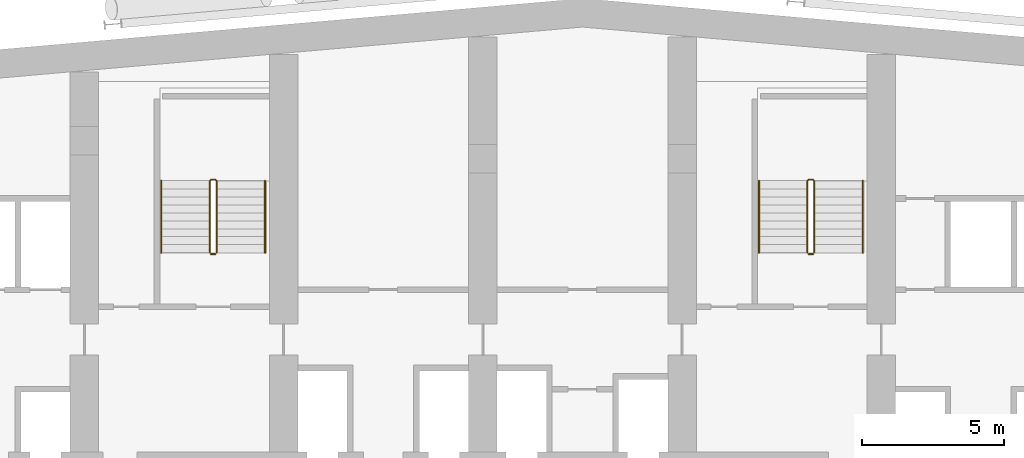
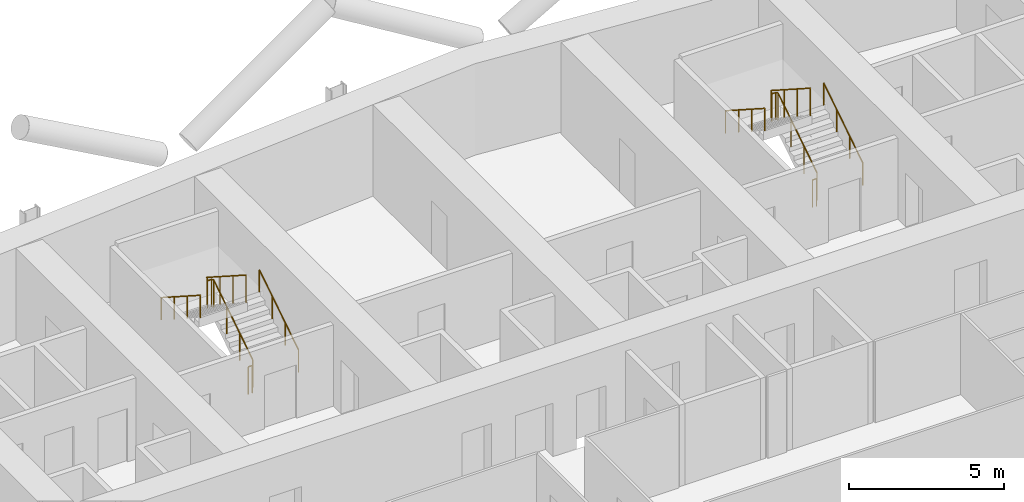
# One storey, part 26 of 27: 8 railings.
"""IFC4 building model written with IfcOpenShell, lengths in metres."""

from ifc_helpers import new_model, si_unit, direction, frame, origin, origin_2d, place, context, subcontext, project, spatial, circle, extrude, material, type_object, element, save


model = new_model("IFC4")

# Units and contexts
model_context = context("Model", 3, precision=1e-05, world=origin(), true_north=direction((0.0, 1.0)))
body_context = subcontext(model_context, "Body", "Model", "MODEL_VIEW")
ifc_project = project(units=[si_unit("LENGTHUNIT", "METRE"), si_unit("AREAUNIT", "SQUARE_METRE"), si_unit("VOLUMEUNIT", "CUBIC_METRE"), si_unit("PLANEANGLEUNIT", "RADIAN"), si_unit("MASSUNIT", "GRAM", prefix="KILO")], contexts=[model_context])

# Site, building, storey
site_placement = place(None, origin())
site = spatial("IfcSite", under=ifc_project, at=site_placement, CompositionType="ELEMENT")
building_placement = place(site_placement, origin())
building = spatial("IfcBuilding", under=site, at=building_placement, Name="Wharfspan Tower", CompositionType="ELEMENT")
storey_placement = place(building_placement, frame((0.0, 0.0, 111.100098)))
storey = spatial("IfcBuildingStorey", under=building, at=storey_placement, Name="L25", CompositionType="ELEMENT", Elevation=111.100098)

# Railings
ifc_material = material(Name="Steel S355J2", Category="steel")
railing_type_1 = type_object("IfcRailingType", Name="Stair guard 1100", PredefinedType="GUARDRAIL", material=ifc_material)
railing_1_placement = place(storey_placement, frame((27.649902, 42.0, 0.179932)))
element("IfcRailing", 1, at=railing_1_placement, inside=storey, type_object=railing_type_1, Name="L25 ST1 stair guard 1", PredefinedType="GUARDRAIL", context=body_context, shape_type="SweptSolid", body=[
    extrude(circle(Radius=0.023926, at=origin_2d()), frame((0.0, 0.0, 1.076172), z_axis=(0.0, 0.8412, 0.540725), x_axis=(-1.0, 0.0, 0.0)), (0.0, 0.0, 1.0), 2.99585),
    extrude(circle(Radius=0.023926, at=origin_2d()), frame((0.0, 2.52002, 2.695801), z_axis=(-0.705376, 0.708834, 0.0), x_axis=(-0.708834, -0.705376, 0.0)), (0.0, 0.0, 1.0), 0.070557),
    extrude(circle(Radius=0.023926, at=origin_2d()), frame((-0.049805, 2.570068, 2.695801), z_axis=(-1.0, 0.0, 0.0), x_axis=(0.0, -1.0, 0.0)), (0.0, 0.0, 1.0), 0.150146),
    extrude(circle(Radius=0.023926, at=origin_2d()), frame((-0.199951, 2.570068, 2.695801), z_axis=(-0.258544, -0.258544, 0.930758), x_axis=(0.707107, -0.707107, 0.0)), (0.0, 0.0, 1.0), 0.193604),
    extrude(circle(Radius=0.023926, at=origin_2d()), frame((-0.25, 2.52002, 2.875977), z_axis=(0.0, -0.8412, 0.540725), x_axis=(1.0, 0.0, 0.0)), (0.0, 0.0, 1.0), 2.99585),
    extrude(circle(Radius=0.020996, at=origin_2d()), origin(), (0.0, 0.0, 1.0), 1.052002),
    extrude(circle(Radius=0.020996, at=origin_2d()), frame((0.0, 0.840088, 0.540039)), (0.0, 0.0, 1.0), 1.052002),
    extrude(circle(Radius=0.020996, at=origin_2d()), frame((0.0, 1.679932, 1.079834)), (0.0, 0.0, 1.0), 1.052002),
    extrude(circle(Radius=0.020996, at=origin_2d()), frame((0.0, 2.52002, 1.619873)), (0.0, 0.0, 1.0), 1.052002),
    extrude(circle(Radius=0.020996, at=origin_2d()), frame((-0.049805, 2.570068, 1.619873)), (0.0, 0.0, 1.0), 1.052002),
    extrude(circle(Radius=0.020996, at=origin_2d()), frame((-0.199951, 2.570068, 1.619873)), (0.0, 0.0, 1.0), 1.052002),
    extrude(circle(Radius=0.020996, at=origin_2d()), frame((-0.25, 2.52002, 1.800049)), (0.0, 0.0, 1.0), 1.052002),
    extrude(circle(Radius=0.020996, at=origin_2d()), frame((-0.25, 1.679932, 2.340088)), (0.0, 0.0, 1.0), 1.052002),
    extrude(circle(Radius=0.020996, at=origin_2d()), frame((-0.25, 0.840088, 2.879883)), (0.0, 0.0, 1.0), 1.052002),
    extrude(circle(Radius=0.020996, at=origin_2d()), frame((-0.25, 0.0, 3.419922)), (0.0, 0.0, 1.0), 1.052002),
])
railing_2_placement = place(storey_placement, frame((27.600098, 41.949951, 0.0)))
element("IfcRailing", 2, at=railing_2_placement, inside=storey, type_object=railing_type_1, Name="L25 ST1 stair guard 2", PredefinedType="GUARDRAIL", context=body_context, shape_type="SweptSolid", body=[
    extrude(circle(Radius=0.023926, at=origin_2d()), frame((0.0, 0.0, 1.076172), z_axis=(-1.0, 0.0, 0.0), x_axis=(0.0, -1.0, 0.0)), (0.0, 0.0, 1.0), 0.150146),
    extrude(circle(Radius=0.020996, at=origin_2d()), origin(), (0.0, 0.0, 1.0), 1.052002),
    extrude(circle(Radius=0.020996, at=origin_2d()), frame((-0.150146, 0.0, 0.0)), (0.0, 0.0, 1.0), 1.052002),
])
railing_3_placement = place(storey_placement, frame((48.649902, 42.0, 0.179932)))
element("IfcRailing", 3, at=railing_3_placement, inside=storey, type_object=railing_type_1, Name="L25 ST2 stair guard 1", PredefinedType="GUARDRAIL", context=body_context, shape_type="SweptSolid", body=[
    extrude(circle(Radius=0.023926, at=origin_2d()), frame((0.0, 0.0, 1.076172), z_axis=(0.0, 0.8412, 0.540725), x_axis=(-1.0, 0.0, 0.0)), (0.0, 0.0, 1.0), 2.99585),
    extrude(circle(Radius=0.023926, at=origin_2d()), frame((0.0, 2.52002, 2.695801), z_axis=(-0.705376, 0.708834, 0.0), x_axis=(-0.708834, -0.705376, 0.0)), (0.0, 0.0, 1.0), 0.070557),
    extrude(circle(Radius=0.023926, at=origin_2d()), frame((-0.049805, 2.570068, 2.695801), z_axis=(-1.0, 0.0, 0.0), x_axis=(0.0, -1.0, 0.0)), (0.0, 0.0, 1.0), 0.150146),
    extrude(circle(Radius=0.023926, at=origin_2d()), frame((-0.199951, 2.570068, 2.695801), z_axis=(-0.258544, -0.258544, 0.930758), x_axis=(0.707107, -0.707107, 0.0)), (0.0, 0.0, 1.0), 0.193604),
    extrude(circle(Radius=0.023926, at=origin_2d()), frame((-0.25, 2.52002, 2.875977), z_axis=(0.0, -0.8412, 0.540725), x_axis=(1.0, 0.0, 0.0)), (0.0, 0.0, 1.0), 2.99585),
    extrude(circle(Radius=0.020996, at=origin_2d()), origin(), (0.0, 0.0, 1.0), 1.052002),
    extrude(circle(Radius=0.020996, at=origin_2d()), frame((0.0, 0.840088, 0.540039)), (0.0, 0.0, 1.0), 1.052002),
    extrude(circle(Radius=0.020996, at=origin_2d()), frame((0.0, 1.679932, 1.079834)), (0.0, 0.0, 1.0), 1.052002),
    extrude(circle(Radius=0.020996, at=origin_2d()), frame((0.0, 2.52002, 1.619873)), (0.0, 0.0, 1.0), 1.052002),
    extrude(circle(Radius=0.020996, at=origin_2d()), frame((-0.049805, 2.570068, 1.619873)), (0.0, 0.0, 1.0), 1.052002),
    extrude(circle(Radius=0.020996, at=origin_2d()), frame((-0.199951, 2.570068, 1.619873)), (0.0, 0.0, 1.0), 1.052002),
    extrude(circle(Radius=0.020996, at=origin_2d()), frame((-0.25, 2.52002, 1.800049)), (0.0, 0.0, 1.0), 1.052002),
    extrude(circle(Radius=0.020996, at=origin_2d()), frame((-0.25, 1.679932, 2.340088)), (0.0, 0.0, 1.0), 1.052002),
    extrude(circle(Radius=0.020996, at=origin_2d()), frame((-0.25, 0.840088, 2.879883)), (0.0, 0.0, 1.0), 1.052002),
    extrude(circle(Radius=0.020996, at=origin_2d()), frame((-0.25, 0.0, 3.419922)), (0.0, 0.0, 1.0), 1.052002),
])
railing_4_placement = place(storey_placement, frame((48.600098, 41.949951, 0.0)))
element("IfcRailing", 4, at=railing_4_placement, inside=storey, type_object=railing_type_1, Name="L25 ST2 stair guard 2", PredefinedType="GUARDRAIL", context=body_context, shape_type="SweptSolid", body=[
    extrude(circle(Radius=0.023926, at=origin_2d()), frame((0.0, 0.0, 1.076172), z_axis=(-1.0, 0.0, 0.0), x_axis=(0.0, -1.0, 0.0)), (0.0, 0.0, 1.0), 0.150146),
    extrude(circle(Radius=0.020996, at=origin_2d()), origin(), (0.0, 0.0, 1.0), 1.052002),
    extrude(circle(Radius=0.020996, at=origin_2d()), frame((-0.150146, 0.0, 0.0)), (0.0, 0.0, 1.0), 1.052002),
])
railing_type_2 = type_object("IfcRailingType", Name="Stair handrail 900", PredefinedType="HANDRAIL", material=ifc_material)
railing_5_placement = place(storey_placement, frame((29.350098, 42.0, 0.179932)))
element("IfcRailing", 5, at=railing_5_placement, inside=storey, type_object=railing_type_2, Name="L25 ST1 stair handrail 1", PredefinedType="HANDRAIL", context=body_context, shape_type="SweptSolid", body=[
    extrude(circle(Radius=0.023926, at=origin_2d()), frame((0.0, 0.0, 0.875977), z_axis=(0.0, 0.8412, 0.540725), x_axis=(-1.0, 0.0, 0.0)), (0.0, 0.0, 1.0), 2.99585),
    extrude(circle(Radius=0.020996, at=origin_2d()), origin(), (0.0, 0.0, 1.0), 0.851807),
    extrude(circle(Radius=0.020996, at=origin_2d()), frame((0.0, 0.840088, 0.540039)), (0.0, 0.0, 1.0), 0.851807),
    extrude(circle(Radius=0.020996, at=origin_2d()), frame((0.0, 1.679932, 1.079834)), (0.0, 0.0, 1.0), 0.851807),
    extrude(circle(Radius=0.020996, at=origin_2d()), frame((0.0, 2.52002, 1.619873)), (0.0, 0.0, 1.0), 0.851807),
])
railing_6_placement = place(storey_placement, frame((25.699951, 44.52002, 1.97998)))
element("IfcRailing", 6, at=railing_6_placement, inside=storey, type_object=railing_type_2, Name="L25 ST1 stair handrail 2", PredefinedType="HANDRAIL", context=body_context, shape_type="SweptSolid", body=[
    extrude(circle(Radius=0.023926, at=origin_2d()), frame((0.0, 0.0, 0.875977), z_axis=(0.0, -0.8412, 0.540725), x_axis=(1.0, 0.0, 0.0)), (0.0, 0.0, 1.0), 2.99585),
    extrude(circle(Radius=0.020996, at=origin_2d()), origin(), (0.0, 0.0, 1.0), 0.851807),
    extrude(circle(Radius=0.020996, at=origin_2d()), frame((0.0, -0.840088, 0.540039)), (0.0, 0.0, 1.0), 0.851807),
    extrude(circle(Radius=0.020996, at=origin_2d()), frame((0.0, -1.679932, 1.079834)), (0.0, 0.0, 1.0), 0.851807),
    extrude(circle(Radius=0.020996, at=origin_2d()), frame((0.0, -2.52002, 1.619873)), (0.0, 0.0, 1.0), 0.851807),
])
railing_7_placement = place(storey_placement, frame((50.350098, 42.0, 0.179932)))
element("IfcRailing", 7, at=railing_7_placement, inside=storey, type_object=railing_type_2, Name="L25 ST2 stair handrail 1", PredefinedType="HANDRAIL", context=body_context, shape_type="SweptSolid", body=[
    extrude(circle(Radius=0.023926, at=origin_2d()), frame((0.0, 0.0, 0.875977), z_axis=(0.0, 0.8412, 0.540725), x_axis=(-1.0, 0.0, 0.0)), (0.0, 0.0, 1.0), 2.99585),
    extrude(circle(Radius=0.020996, at=origin_2d()), origin(), (0.0, 0.0, 1.0), 0.851807),
    extrude(circle(Radius=0.020996, at=origin_2d()), frame((0.0, 0.840088, 0.540039)), (0.0, 0.0, 1.0), 0.851807),
    extrude(circle(Radius=0.020996, at=origin_2d()), frame((0.0, 1.679932, 1.079834)), (0.0, 0.0, 1.0), 0.851807),
    extrude(circle(Radius=0.020996, at=origin_2d()), frame((0.0, 2.52002, 1.619873)), (0.0, 0.0, 1.0), 0.851807),
])
railing_8_placement = place(storey_placement, frame((46.699951, 44.52002, 1.97998)))
element("IfcRailing", 8, at=railing_8_placement, inside=storey, type_object=railing_type_2, Name="L25 ST2 stair handrail 2", PredefinedType="HANDRAIL", context=body_context, shape_type="SweptSolid", body=[
    extrude(circle(Radius=0.023926, at=origin_2d()), frame((0.0, 0.0, 0.875977), z_axis=(0.0, -0.8412, 0.540725), x_axis=(1.0, 0.0, 0.0)), (0.0, 0.0, 1.0), 2.99585),
    extrude(circle(Radius=0.020996, at=origin_2d()), origin(), (0.0, 0.0, 1.0), 0.851807),
    extrude(circle(Radius=0.020996, at=origin_2d()), frame((0.0, -0.840088, 0.540039)), (0.0, 0.0, 1.0), 0.851807),
    extrude(circle(Radius=0.020996, at=origin_2d()), frame((0.0, -1.679932, 1.079834)), (0.0, 0.0, 1.0), 0.851807),
    extrude(circle(Radius=0.020996, at=origin_2d()), frame((0.0, -2.52002, 1.619873)), (0.0, 0.0, 1.0), 0.851807),
])

save(model, "model.ifc")
